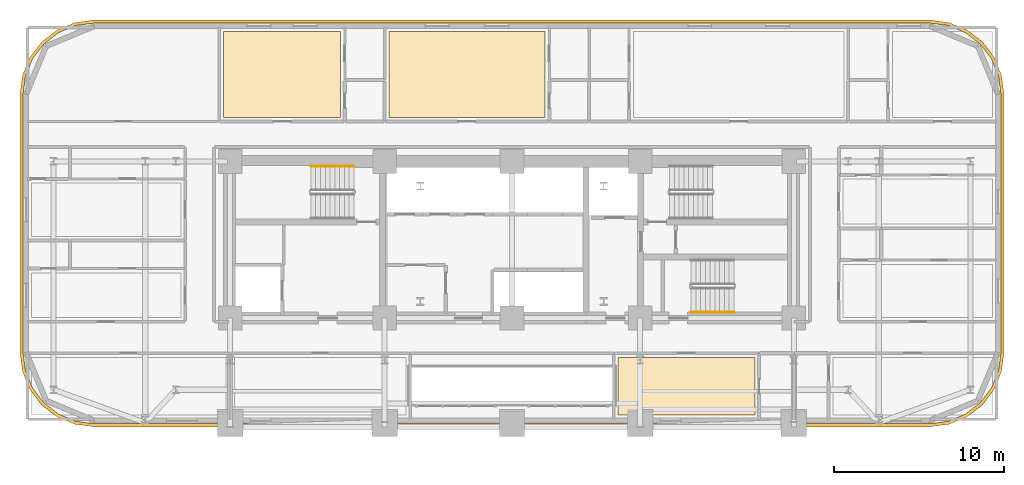
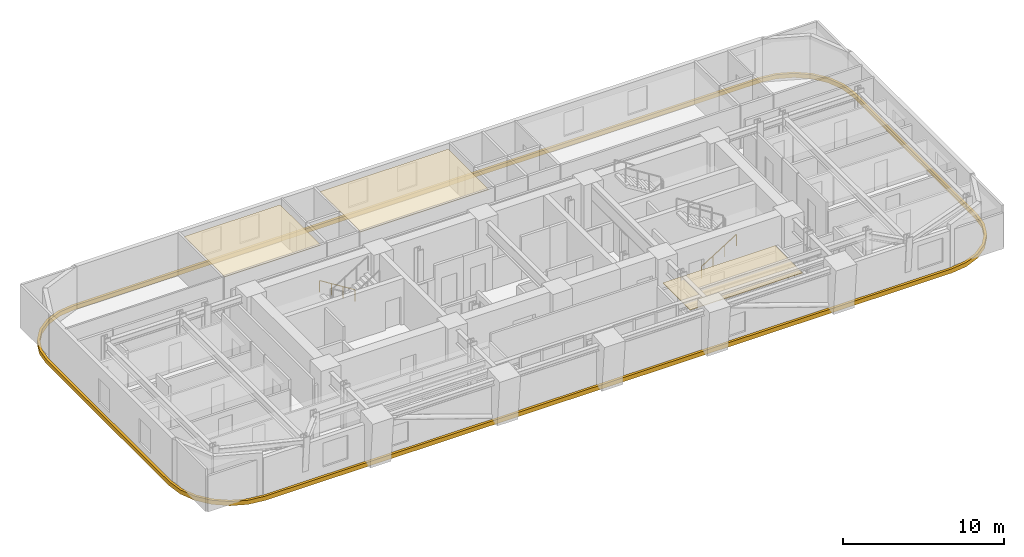
# One storey, part 14 of 15: 4 coverings, 2 railings.
"""IFC4 building model written with IfcOpenShell, lengths in metres."""

from ifc_helpers import new_model, si_unit, direction, frame, origin, origin_2d, place, context, subcontext, project, spatial, polyline, rectangle, outline, extrude, material, layer, layer_set, type_object, element, save


model = new_model("IFC4")

# Units and contexts
model_context = context("Model", 3, precision=1e-05, world=origin(), true_north=direction((0.0, 1.0)))
body_context = subcontext(model_context, "Body", "Model", "MODEL_VIEW")
ifc_project = project(units=[si_unit("LENGTHUNIT", "METRE"), si_unit("AREAUNIT", "SQUARE_METRE"), si_unit("VOLUMEUNIT", "CUBIC_METRE"), si_unit("PLANEANGLEUNIT", "RADIAN"), si_unit("MASSUNIT", "GRAM", prefix="KILO")], contexts=[model_context])

# Site, building, storey
site_placement = place(None, origin())
site = spatial("IfcSite", under=ifc_project, at=site_placement, CompositionType="ELEMENT")
building_placement = place(site_placement, origin())
building = spatial("IfcBuilding", under=site, at=building_placement, Name="Zarnavel Station Tower", CompositionType="ELEMENT")
storey_placement = place(building_placement, frame((0.0, 0.0, 50.0)))
storey = spatial("IfcBuildingStorey", under=building, at=storey_placement, Name="L13", CompositionType="ELEMENT", Elevation=50.0)

# Coverings
ifc_material_1 = material(Name="Perforated Gypsum and Mineral-Wool Acoustic Ceiling", Category="concrete")
ifc_layer = layer(ifc_material_1, 0.0400390625)
ifc_layer_set = layer_set([ifc_layer], Name="COV_CEIL_ACOUSTIC")
covering_type_1 = type_object("IfcCoveringType", Name="COV_CEIL_ACOUSTIC", PredefinedType="CEILING", material=ifc_layer_set)
covering_1_placement = place(storey_placement, frame((0.0, 0.0, 2.919921875)))
element("IfcCovering", 1, at=covering_1_placement, inside=storey, type_object=covering_type_1, Name="L13 HN1R Acoustic Ceiling", PredefinedType="CEILING", context=body_context, shape_type="SweptSolid", body=[
    extrude(outline(polyline([(11.81005859375, 39.64990234375), (18.699951171875, 39.64990234375), (18.699951171875, 44.68994140625), (11.81005859375, 44.68994140625), (11.81005859375, 39.64990234375)])), origin(), (0.0, 0.0, 1.0), 0.0400390625),
])
covering_2_placement = place(storey_placement, frame((0.0, 0.0, 2.919921875)))
element("IfcCovering", 2, at=covering_2_placement, inside=storey, type_object=covering_type_1, Name="L13 HN2R Acoustic Ceiling", PredefinedType="CEILING", context=body_context, shape_type="SweptSolid", body=[
    extrude(outline(polyline([(21.550048828125, 39.64990234375), (30.7470703125, 39.64990234375), (30.7470703125, 44.68994140625), (21.550048828125, 44.68994140625), (21.550048828125, 39.64990234375)])), origin(), (0.0, 0.0, 1.0), 0.0400390625),
])
covering_3_placement = place(storey_placement, frame((0.0, 0.0, 2.919921875)))
element("IfcCovering", 3, at=covering_3_placement, inside=storey, type_object=covering_type_1, Name="L13 HE1R Acoustic Ceiling", PredefinedType="CEILING", context=body_context, shape_type="SweptSolid", body=[
    extrude(outline(polyline([(35.050048828125, 22.110107421875), (43.10009765625, 22.110107421875), (43.10009765625, 25.5), (35.050048828125, 25.5), (35.050048828125, 22.110107421875)])), origin(), (0.0, 0.0, 1.0), 0.0400390625),
])
ifc_material_2 = material(Name="Precast concrete C45/55 (Pale Travertine Slab Band)", Category="masonry")
covering_type_2 = type_object("IfcCoveringType", Name="COV_TRAVERTINE_BAND", PredefinedType="CLADDING", material=ifc_material_2)
covering_4_placement = place(storey_placement, frame((0.0, 0.0, -0.260009765625)))
element("IfcCovering", 4, at=covering_4_placement, inside=storey, type_object=covering_type_2, Name="L13 Pale Travertine Slab-Edge Band", PredefinedType="CLADDING", context=body_context, shape_type="SweptSolid", body=[
    extrude(outline(polyline([(53.39990234375, 21.419921875), (54.53369140625, 21.569091796875), (55.590087890625, 22.0068359375), (56.4970703125, 22.702880859375), (57.193115234375, 23.610107421875), (57.630859375, 24.66650390625), (57.780029296875, 25.800048828125), (57.780029296875, 41.0), (57.630859375, 42.133544921875), (57.193115234375, 43.18994140625), (56.4970703125, 44.09716796875), (55.590087890625, 44.793212890625), (54.53369140625, 45.230712890625), (53.39990234375, 45.3798828125), (4.199951171875, 45.3798828125), (3.06640625, 45.230712890625), (2.010009765625, 44.793212890625), (1.102783203125, 44.09716796875), (0.40673828125, 43.18994140625), (-0.03076171875, 42.133544921875), (-0.179931640625, 41.0), (-0.179931640625, 25.800048828125), (-0.03076171875, 24.66650390625), (0.40673828125, 23.610107421875), (1.102783203125, 22.702880859375), (2.010009765625, 22.0068359375), (3.06640625, 21.569091796875), (4.199951171875, 21.419921875), (53.39990234375, 21.419921875)]), holes=[polyline([(53.39990234375, 21.60009765625), (54.487060546875, 21.7431640625), (55.5, 22.16259765625), (56.369873046875, 22.830078125), (57.037353515625, 23.699951171875), (57.456787109375, 24.712890625), (57.60009765625, 25.800048828125), (57.60009765625, 41.0), (57.456787109375, 42.0869140625), (57.037353515625, 43.10009765625), (56.369873046875, 43.9697265625), (55.5, 44.63720703125), (54.487060546875, 45.056884765625), (53.39990234375, 45.199951171875), (4.199951171875, 45.199951171875), (3.113037109375, 45.056884765625), (2.10009765625, 44.63720703125), (1.230224609375, 43.9697265625), (0.562744140625, 43.10009765625), (0.14306640625, 42.0869140625), (0.0, 41.0), (0.0, 25.800048828125), (0.14306640625, 24.712890625), (0.562744140625, 23.699951171875), (1.230224609375, 22.830078125), (2.10009765625, 22.16259765625), (3.113037109375, 21.7431640625), (4.199951171875, 21.60009765625), (53.39990234375, 21.60009765625)])]), origin(), (0.0, 0.0, 1.0), 0.320068359375),
])

# Railings
ifc_material_3 = material(Name="Brushed Stainless Steel S355J2 Handrail", Category="steel")
railing_type = type_object("IfcRailingType", Name="HR_STAIR_900", PredefinedType="HANDRAIL", material=ifc_material_3)
railing_1_placement = place(storey_placement, frame((19.47998046875, 36.77001953125, 0.175048828125)))
element("IfcRailing", 5, at=railing_1_placement, inside=storey, type_object=railing_type, Name="L13 ST1 stair handrail 1", PredefinedType="HANDRAIL", context=body_context, shape_type="SweptSolid", body=[
    extrude(rectangle(XDim=0.048095703125, YDim=0.048095703125, at=origin_2d()), frame((-0.001708984375, 0.0, 0.876953125), z_axis=(-0.848007534815, 0.0, 0.529984170421), x_axis=(0.0, -1.0, 0.0)), (0.0, 0.0, 1.0), 2.9677734375),
    extrude(rectangle(XDim=0.0419921875, YDim=0.0419921875, at=origin_2d()), origin(), (0.0, 0.0, 1.0), 0.851806640625),
    extrude(rectangle(XDim=0.0419921875, YDim=0.0419921875, at=origin_2d()), frame((-0.840087890625, 0.0, 0.52490234375)), (0.0, 0.0, 1.0), 0.851806640625),
    extrude(rectangle(XDim=0.0419921875, YDim=0.0419921875, at=origin_2d()), frame((-1.679931640625, 0.0, 1.050048828125)), (0.0, 0.0, 1.0), 0.851806640625),
    extrude(rectangle(XDim=0.0419921875, YDim=0.0419921875, at=origin_2d()), frame((-2.52001953125, 0.0, 1.574951171875)), (0.0, 0.0, 1.0), 0.851806640625),
])
railing_2_placement = place(storey_placement, frame((39.35009765625, 28.169921875, 0.175048828125)))
element("IfcRailing", 6, at=railing_2_placement, inside=storey, type_object=railing_type, Name="L13 ST3 stair handrail 1", PredefinedType="HANDRAIL", context=body_context, shape_type="SweptSolid", body=[
    extrude(rectangle(XDim=0.048095703125, YDim=0.048095703125, at=origin_2d()), frame((0.001708984375, 0.0, 0.876953125), z_axis=(0.848007534815, 0.0, 0.529984170421), x_axis=(0.0, 1.0, 0.0)), (0.0, 0.0, 1.0), 2.9677734375),
    extrude(rectangle(XDim=0.0419921875, YDim=0.0419921875, at=origin_2d()), origin(), (0.0, 0.0, 1.0), 0.851806640625),
    extrude(rectangle(XDim=0.0419921875, YDim=0.0419921875, at=origin_2d()), frame((0.840087890625, 0.0, 0.52490234375)), (0.0, 0.0, 1.0), 0.851806640625),
    extrude(rectangle(XDim=0.0419921875, YDim=0.0419921875, at=origin_2d()), frame((1.679931640625, 0.0, 1.050048828125)), (0.0, 0.0, 1.0), 0.851806640625),
    extrude(rectangle(XDim=0.0419921875, YDim=0.0419921875, at=origin_2d()), frame((2.52001953125, 0.0, 1.574951171875)), (0.0, 0.0, 1.0), 0.851806640625),
])

save(model, "model.ifc")
